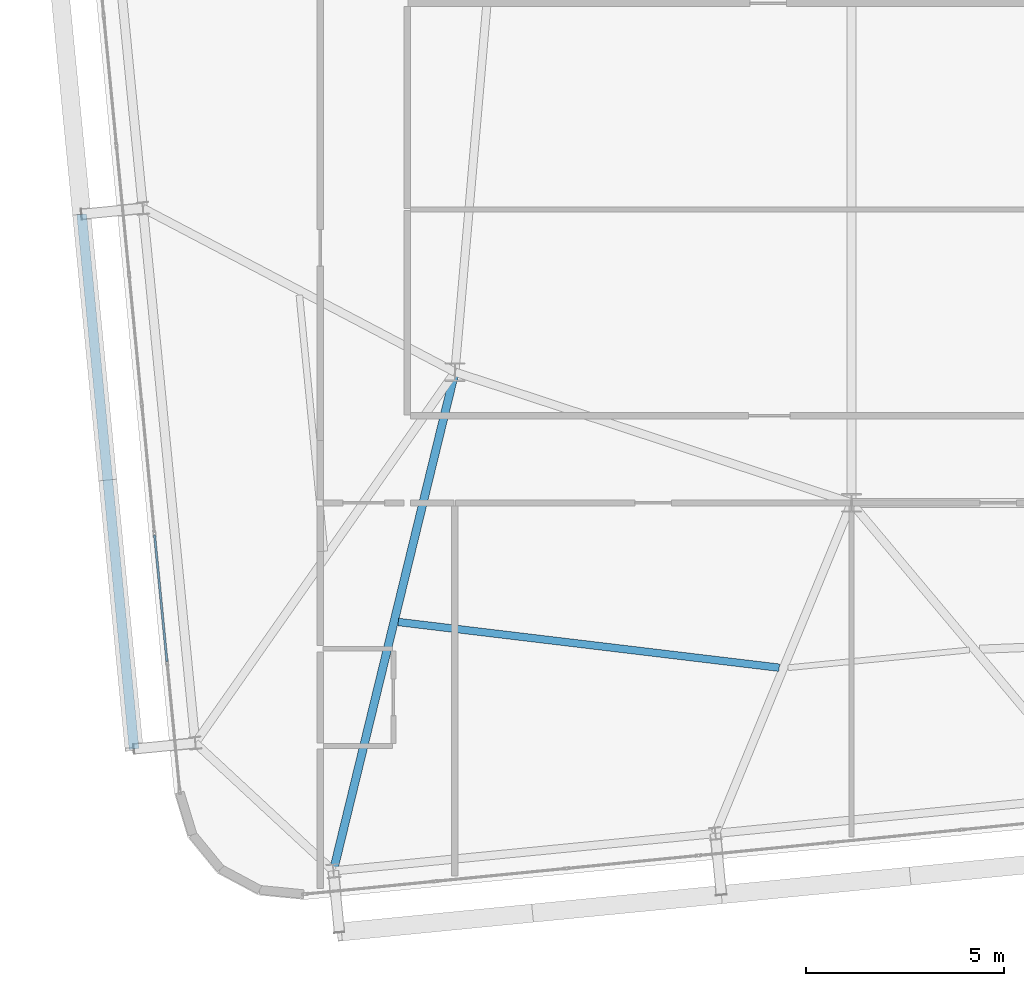
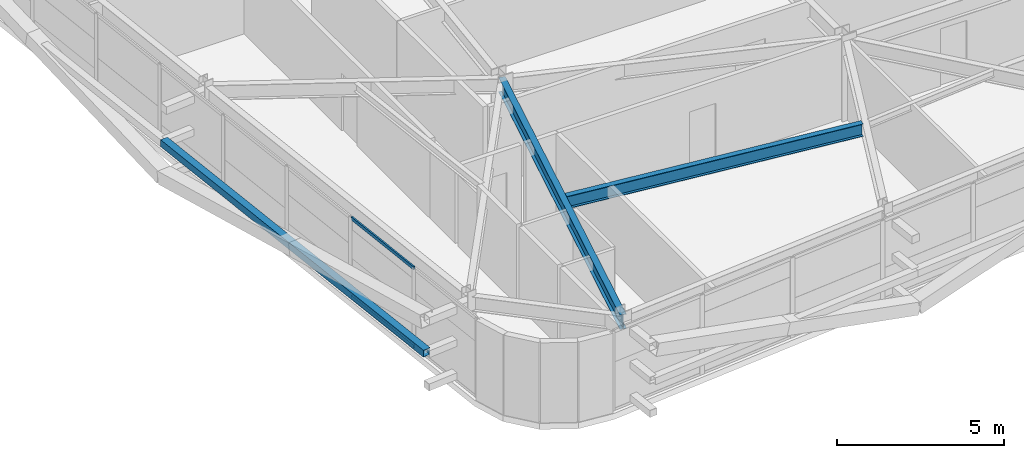
# One storey, part 7 of 52: 3 members, 2 beams, 1 element without a shape of its own.
"""IFC4 building model written with IfcOpenShell, lengths in metres."""

from ifc_helpers import new_model, si_unit, direction, frame, origin, origin_2d, place, context, subcontext, project, spatial, hollow_rectangle, i_section, extrude, source, transform, mapped, material, layer, layer_set, material_profile, profile_set, type_object, element, aggregate, save


model = new_model("IFC4")

# Units and contexts
model_context = context("Model", 3, precision=1e-05, world=origin(), true_north=direction((0.0, 1.0)))
body_context = subcontext(model_context, "Body", "Model", "MODEL_VIEW")
ifc_project = project(units=[si_unit("LENGTHUNIT", "METRE"), si_unit("AREAUNIT", "SQUARE_METRE"), si_unit("VOLUMEUNIT", "CUBIC_METRE"), si_unit("PLANEANGLEUNIT", "RADIAN"), si_unit("MASSUNIT", "GRAM", prefix="KILO")], contexts=[model_context])

# Site, building, storey
site_placement = place(None, origin())
site = spatial("IfcSite", under=ifc_project, at=site_placement, CompositionType="ELEMENT")
building_placement = place(site_placement, origin())
building = spatial("IfcBuilding", under=site, at=building_placement, Name="Taldren Reach Tower", CompositionType="ELEMENT")
storey_placement = place(building_placement, frame((0.0, 0.0, 77.699951171875)))
storey = spatial("IfcBuildingStorey", under=building, at=storey_placement, Name="L23", CompositionType="ELEMENT", Elevation=77.699951171875)

# Beams
ifc_material_1 = material(Name="Steel Gr 350 (350PLUS)", Category="steel")
ifc_material_profile_1 = material_profile(ifc_material_1, i_section(OverallWidth=0.208984375, OverallDepth=0.532958984375, WebThickness=0.01025390625, FlangeThickness=0.015625, at=origin_2d()), Name="530UB92.4")
ifc_profile_set_1 = profile_set([ifc_material_profile_1], Name="Steel Gr 350 (350PLUS)")
beam_type_1 = type_object("IfcBeamType", Name="BM-UB530A", PredefinedType="BEAM", material=ifc_profile_set_1)
shared_shape_1 = source(origin(), body_context, "Body", "SweptSolid", [
    extrude(i_section(OverallWidth=0.208984375, OverallDepth=0.532958984375, WebThickness=0.01025390625, FlangeThickness=0.015625, at=origin_2d()), origin(), (0.0, 0.0, 1.0), 12.947998046875),
])
beam_1_placement = place(storey_placement, frame((18.0, 12.5, 2.66357421875), z_axis=(-0.236786022782, -0.971561824803, 0.0), x_axis=(0.971561824803, -0.236786022782, 0.0)))
element("IfcBeam", 1, at=beam_1_placement, inside=storey, type_object=beam_type_1, Name="Primary floor girder B2-S1 L23", PredefinedType="BEAM", context=body_context, shape_type="MappedRepresentation", body=[
    mapped(shared_shape_1, transform((0.0, 0.0, 0.0), scale=1.0)),
])
ifc_material_profile_2 = material_profile(ifc_material_1, i_section(OverallWidth=0.19091796875, OverallDepth=0.4599609375, WebThickness=0.010009765625, FlangeThickness=0.01611328125, at=origin_2d()), Name="460UB82.1")
ifc_profile_set_2 = profile_set([ifc_material_profile_2], Name="Steel Gr 350 (350PLUS)")
beam_type_2 = type_object("IfcBeamType", Name="BM-UB460A", PredefinedType="BEAM", material=ifc_profile_set_2)
shared_shape_2 = source(origin(), body_context, "Body", "SweptSolid", [
    extrude(i_section(OverallWidth=0.19091796875, OverallDepth=0.4599609375, WebThickness=0.010009765625, FlangeThickness=0.01611328125, at=origin_2d()), origin(), (0.0, 0.0, 1.0), 9.673583984375),
])
beam_2_placement = place(storey_placement, frame((16.571533203125, 6.197509765625, 2.699951171875), z_axis=(0.992879584922, -0.119122331431, 0.0), x_axis=(0.119122331431, 0.992879584922, 0.0)))
element("IfcBeam", 2, at=beam_2_placement, inside=storey, type_object=beam_type_2, Name="Secondary floor beam B2 J1 L23", PredefinedType="BEAM", context=body_context, shape_type="MappedRepresentation", body=[
    mapped(shared_shape_2, transform((0.0, 0.0, 0.0), scale=1.0)),
])

# Member
ifc_material_2 = material(Name="Steel Gr 350 (C350L0)", Category="steel")
ifc_material_profile_3 = material_profile(ifc_material_2, hollow_rectangle(XDim=0.25, YDim=0.25, WallThickness=0.010009765625, at=origin_2d()), Name="250x250x10.0SHS")
ifc_profile_set_3 = profile_set([ifc_material_profile_3], Name="Steel Gr 350 (C350L0)")
member_type_1 = type_object("IfcMemberType", Name="MB-POST250", PredefinedType="POST", material=ifc_profile_set_3)
shared_shape_3 = source(origin(), body_context, "Body", "SweptSolid", [
    extrude(hollow_rectangle(XDim=0.25, YDim=0.25, WallThickness=0.010009765625, at=origin_2d()), origin(), (0.0, 0.0, 1.0), 13.5498046875),
])
member_1_placement = place(storey_placement, frame((9.91015625, 2.99462890625, 1.43505859375), z_axis=(-0.097585771221, 0.995227118428, 0.0), x_axis=(-0.995227118428, -0.097585771221, 0.0)))
element("IfcMember", 3, at=member_1_placement, inside=storey, type_object=member_type_1, Name="Exoskeleton mid-height ring chord B2-W1 L23", PredefinedType="POST", context=body_context, shape_type="MappedRepresentation", body=[
    mapped(shared_shape_3, transform((0.0, 0.0, 0.0), scale=1.0)),
])

# Curtain wall, members
ifc_material_3 = material(Name="Aluminium and Low-E Glass Unitised System", Category="aluminium")
ifc_layer = layer(ifc_material_3, 0.159912109375)
ifc_layer_set = layer_set([ifc_layer], Name="Aluminium and Low-E Glass Unitised System")
curtain_wall_type = type_object("IfcCurtainWallType", Name="CW-SYS-3", PredefinedType="NOTDEFINED", material=ifc_layer_set)
curtain_wall_placement = place(storey_placement, origin())
curtain_wall = element("IfcCurtainWall", 4, at=curtain_wall_placement, inside=storey, type_object=curtain_wall_type, Name="Unitised curtain wall CW-L23-W", PredefinedType="NOTDEFINED")
ifc_material_4 = material(Name="Anodised Aluminium 6063-T6", Category="aluminium")
ifc_material_profile_4 = material_profile(ifc_material_4, hollow_rectangle(XDim=0.054931640625, YDim=0.1201171875, WallThickness=0.0029296875, at=origin_2d()), Name="ALU-120x55x3RHS")
ifc_profile_set_4 = profile_set([ifc_material_profile_4], Name="Anodised Aluminium 6063-T6")
member_type_2 = type_object("IfcMemberType", Name="CW-TRN-135", PredefinedType="USERDEFINED", material=ifc_profile_set_4)
shared_shape_4 = source(origin(), body_context, "Body", "SweptSolid", [
    extrude(hollow_rectangle(XDim=0.054931640625, YDim=0.1201171875, WallThickness=0.0029296875, at=origin_2d()), origin(), (0.0, 0.0, 1.0), 3.212646484375),
])
member_2_placement = place(storey_placement, frame((10.42578125, 8.3935546875, 0.027587890625), z_axis=(0.097577327663, -0.995227946315, 0.0), x_axis=(0.995227946315, 0.097577327663, 0.0)))
member_2 = element("IfcMember", 5, at=member_2_placement, type_object=member_type_2, Name="CW-3 transom 8.1", ObjectType="TRANSOM", PredefinedType="USERDEFINED", context=body_context, shape_type="MappedRepresentation", body=[
    mapped(shared_shape_4, transform((0.0, 0.0, 0.0), scale=1.0)),
])
member_3_placement = place(storey_placement, frame((10.42578125, 8.3935546875, 2.902587890625), z_axis=(0.097577327663, -0.995227946315, 0.0), x_axis=(0.995227946315, 0.097577327663, 0.0)))
member_3 = element("IfcMember", 6, at=member_3_placement, type_object=member_type_2, Name="CW-3 transom 8.2", ObjectType="TRANSOM", PredefinedType="USERDEFINED", context=body_context, shape_type="MappedRepresentation", body=[
    mapped(shared_shape_4, transform((0.0, 0.0, 0.0), scale=1.0)),
])
aggregate(curtain_wall, [member_2, member_3])

save(model, "model.ifc")
